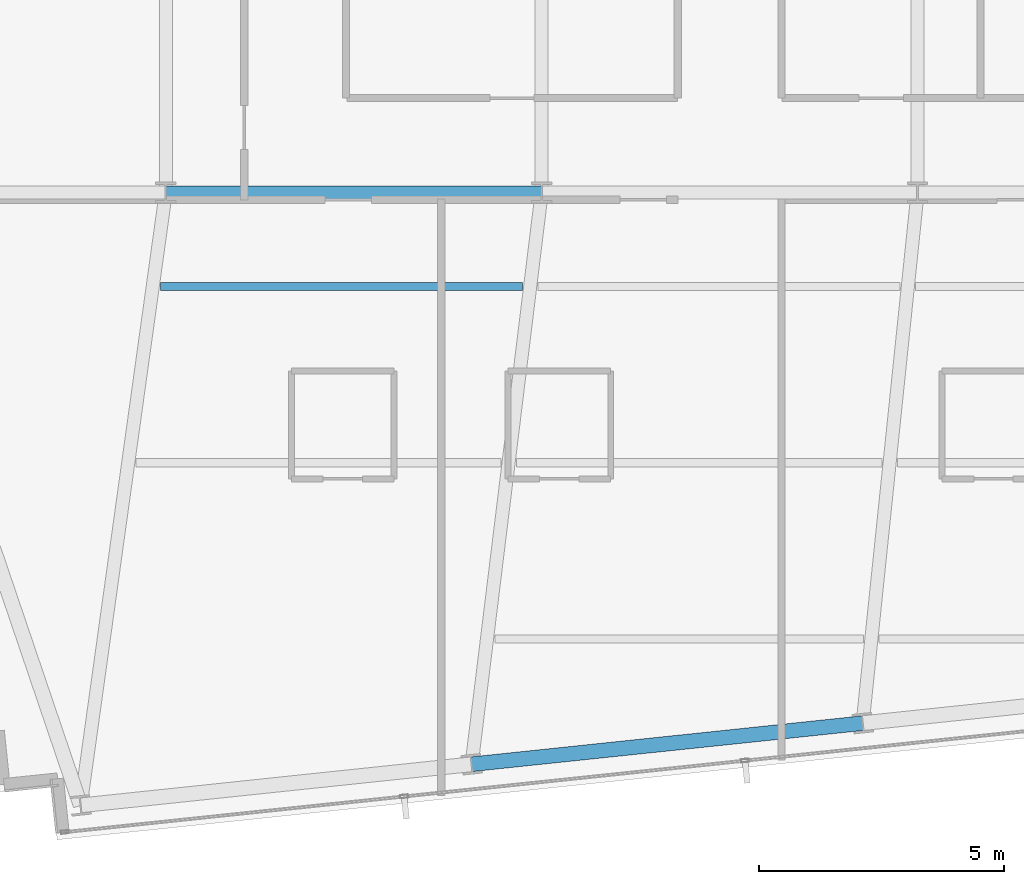
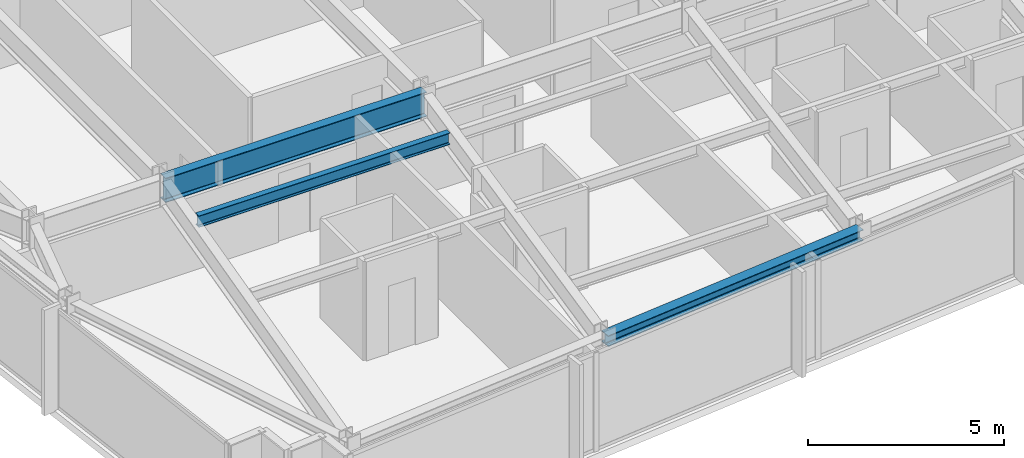
# One storey, part 6 of 33: 3 beams.
"""IFC4 building model written with IfcOpenShell, lengths in metres."""

from ifc_helpers import new_model, si_unit, direction, frame, origin, origin_2d, place, context, subcontext, project, spatial, i_section, extrude, material, material_profile, profile_set, type_object, element, save


model = new_model("IFC4")

# Units and contexts
model_context = context("Model", 3, precision=1e-05, world=origin(), true_north=direction((0.0, 1.0)))
body_context = subcontext(model_context, "Body", "Model", "MODEL_VIEW")
ifc_project = project(units=[si_unit("LENGTHUNIT", "METRE"), si_unit("AREAUNIT", "SQUARE_METRE"), si_unit("VOLUMEUNIT", "CUBIC_METRE"), si_unit("PLANEANGLEUNIT", "RADIAN"), si_unit("MASSUNIT", "GRAM", prefix="KILO")], contexts=[model_context])

# Site, building, storey
site_placement = place(None, origin())
site = spatial("IfcSite", under=ifc_project, at=site_placement, CompositionType="ELEMENT")
building_placement = place(site_placement, origin())
building = spatial("IfcBuilding", under=site, at=building_placement, Name="Yelkora Congress Tower", CompositionType="ELEMENT")
storey_placement = place(building_placement, frame((0.0, 0.0, 240.800048828125)))
storey = spatial("IfcBuildingStorey", under=building, at=storey_placement, Name="L67", CompositionType="ELEMENT", Elevation=240.800048828125)

# Beams
ifc_material = material(Name="Steel S355J2", Category="steel")
ifc_material_profile_1 = material_profile(ifc_material, i_section(OverallWidth=0.26708984375, OverallDepth=0.761962890625, WebThickness=0.014404296875, FlangeThickness=0.021484375, FilletRadius=0.01708984375, at=origin_2d()), Name="IPE 750x173")
ifc_profile_set_1 = profile_set([ifc_material_profile_1], Name="Steel S355J2")
beam_type_1 = type_object("IfcBeamType", Name="BM-GIRD-IPE750", PredefinedType="BEAM", material=ifc_profile_set_1)
beam_1_placement = place(storey_placement, frame((23.0400390625, 25.199951171875, 2.698974609375), z_axis=(1.0, 0.0, 0.0), x_axis=(0.0, 1.0, 0.0)))
element("IfcBeam", 1, at=beam_1_placement, inside=storey, type_object=beam_type_1, Name="L67 Spine Grid D Girder 2", PredefinedType="BEAM", context=body_context, shape_type="SweptSolid", body=[
    extrude(i_section(OverallWidth=0.26708984375, OverallDepth=0.761962890625, WebThickness=0.014404296875, FlangeThickness=0.021484375, FilletRadius=0.01708984375, at=origin_2d()), origin(), (0.0, 0.0, 1.0), 7.679931640625),
])
ifc_material_profile_2 = material_profile(ifc_material, i_section(OverallWidth=0.169921875, OverallDepth=0.360107421875, WebThickness=0.008056640625, FlangeThickness=0.0126953125, FilletRadius=0.01806640625, at=origin_2d()), Name="IPE 360")
ifc_profile_set_2 = profile_set([ifc_material_profile_2], Name="Steel S355J2")
beam_type_2 = type_object("IfcBeamType", Name="BM-JOIST-IPE360", PredefinedType="JOIST", material=ifc_profile_set_2)
beam_2_placement = place(storey_placement, frame((22.932861328125, 23.278564453125, 2.89990234375), z_axis=(1.0, 0.0, 0.0), x_axis=(0.0, 1.0, 0.0)))
element("IfcBeam", 2, at=beam_2_placement, inside=storey, type_object=beam_type_2, Name="L67 Composite Floor Joist 9", PredefinedType="JOIST", context=body_context, shape_type="SweptSolid", body=[
    extrude(i_section(OverallWidth=0.169921875, OverallDepth=0.360107421875, WebThickness=0.008056640625, FlangeThickness=0.0126953125, FilletRadius=0.01806640625, at=origin_2d()), origin(), (0.0, 0.0, 1.0), 7.3916015625),
])
ifc_material_profile_3 = material_profile(ifc_material, i_section(OverallWidth=0.300048828125, OverallDepth=0.340087890625, WebThickness=0.011962890625, FlangeThickness=0.021484375, FilletRadius=0.027099609375, at=origin_2d()), Name="HEB 340")
ifc_profile_set_3 = profile_set([ifc_material_profile_3], Name="Steel S355J2")
beam_type_3 = type_object("IfcBeamType", Name="BM-SPAN-HEB340", PredefinedType="SPANDREL", material=ifc_profile_set_3)
beam_3_placement = place(storey_placement, frame((29.288330078125, 13.518310546875, 2.909912109375), z_axis=(0.994523256947, 0.104515507904, 0.0), x_axis=(-0.104515507904, 0.994523256947, 0.0)))
element("IfcBeam", 3, at=beam_3_placement, inside=storey, type_object=beam_type_3, Name="L67 Perimeter Beam 4", PredefinedType="SPANDREL", context=body_context, shape_type="SweptSolid", body=[
    extrude(i_section(OverallWidth=0.300048828125, OverallDepth=0.340087890625, WebThickness=0.011962890625, FlangeThickness=0.021484375, FilletRadius=0.027099609375, at=origin_2d()), origin(), (0.0, 0.0, 1.0), 8.033203125),
])

save(model, "model.ifc")
